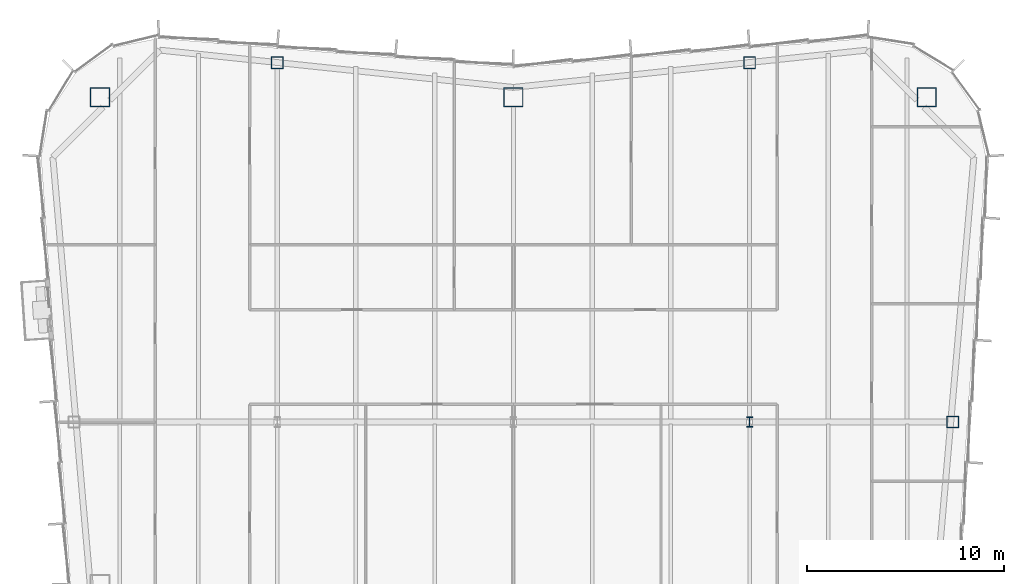
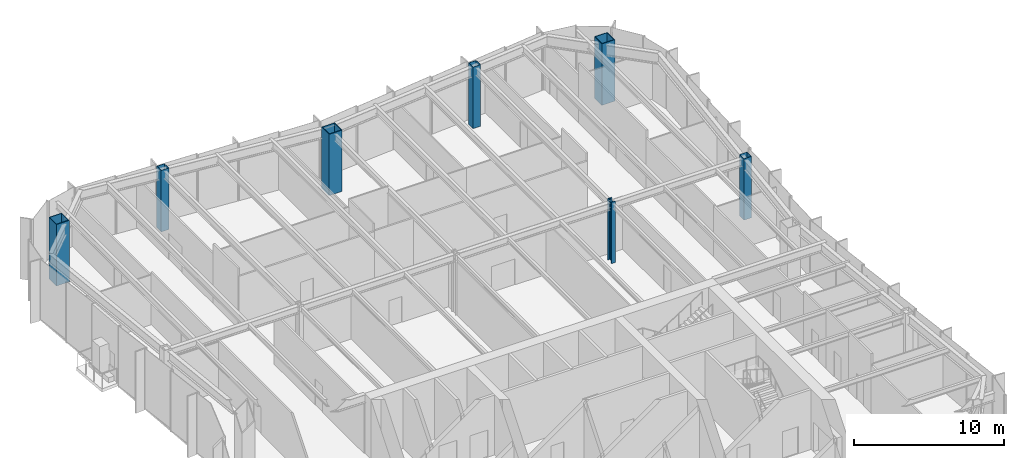
# One storey, part 2 of 15: 7 columns.
"""IFC4 building model written with IfcOpenShell, lengths in metres."""

from ifc_helpers import new_model, si_unit, direction, frame, origin, origin_2d, place, context, subcontext, project, spatial, hollow_rectangle, i_section, extrude, material, material_profile, profile_set, type_object, element, save


model = new_model("IFC4")

# Units and contexts
model_context = context("Model", 3, precision=1e-05, world=origin(), true_north=direction((0.0, 1.0)))
body_context = subcontext(model_context, "Body", "Model", "MODEL_VIEW")
ifc_project = project(units=[si_unit("LENGTHUNIT", "METRE"), si_unit("AREAUNIT", "SQUARE_METRE"), si_unit("VOLUMEUNIT", "CUBIC_METRE"), si_unit("PLANEANGLEUNIT", "RADIAN"), si_unit("MASSUNIT", "GRAM", prefix="KILO")], contexts=[model_context])

# Site, building, storey
site_placement = place(None, origin())
site = spatial("IfcSite", under=ifc_project, at=site_placement, CompositionType="ELEMENT")
building_placement = place(site_placement, origin())
building = spatial("IfcBuilding", under=site, at=building_placement, Name="Verdant Reach Tower", CompositionType="ELEMENT")
storey_placement = place(building_placement, frame((0.0, 0.0, 233.0)))
storey = spatial("IfcBuildingStorey", under=building, at=storey_placement, Name="L53", CompositionType="ELEMENT", Elevation=233.0)

# Columns
ifc_material = material(Name="Steel S460", Category="steel")
ifc_material_profile_1 = material_profile(ifc_material, i_section(OverallWidth=0.305908203125, OverallDepth=0.52392578125, WebThickness=0.012451171875, FlangeThickness=0.0400390625, FilletRadius=0.027099609375, at=origin_2d()), Name="HEM 500")
ifc_profile_set_1 = profile_set([ifc_material_profile_1], Name="Steel S460")
column_type_1 = type_object("IfcColumnType", Name="ST-COL-HEM500", PredefinedType="COLUMN", material=ifc_profile_set_1)
column_placement = place(storey_placement, frame((12.0, 49.5, 0.0), z_axis=(0.0, 0.0, 1.0), x_axis=(1.0, 0.0, 0.0)))
element("IfcColumn", 1, at=column_placement, inside=storey, type_object=column_type_1, Name="Interior column 3, L53", PredefinedType="COLUMN", context=body_context, shape_type="SweptSolid", body=[
    extrude(i_section(OverallWidth=0.305908203125, OverallDepth=0.52392578125, WebThickness=0.012451171875, FlangeThickness=0.0400390625, FilletRadius=0.027099609375, at=origin_2d()), origin(), (0.0, 0.0, 1.0), 5.0),
])
ifc_material_profile_2 = material_profile(ifc_material, hollow_rectangle(XDim=1.0, YDim=1.0, WallThickness=0.044921875, at=origin_2d()), Name="WB 1000x1000x45")
ifc_profile_set_2 = profile_set([ifc_material_profile_2], Name="Steel S460")
column_type_2 = type_object("IfcColumnType", Name="ST-COL-WB1000x1000x45", PredefinedType="COLUMN", material=ifc_profile_set_2)
for number, where, z_axis, x_axis, name in (
    (2, (-21.0, 66.0, 0.0), (0.0, 0.0, 1.0), (1.0, 0.0, 0.0), "Mega column north-west, L53"),
    (3, (0.0, 66.0, 0.0), (0.0, 0.0, 1.0), (1.0, 0.0, 0.0), "Mega column north, L53"),
    (4, (21.0, 66.0, 0.0), (0.0, 0.0, 1.0), (1.0, 0.0, 0.0), "Mega column north-east, L53"),
):
    element("IfcColumn", number, at=place(storey_placement, frame(where, z_axis=z_axis, x_axis=x_axis)), inside=storey, type_object=column_type_2, Name=name, PredefinedType="COLUMN", context=body_context, shape_type="SweptSolid", body=[
        extrude(hollow_rectangle(XDim=1.0, YDim=1.0, WallThickness=0.044921875, at=origin_2d()), origin(), (0.0, 0.0, 1.0), 5.0),
    ])
ifc_material_profile_3 = material_profile(ifc_material, hollow_rectangle(XDim=0.60009765625, YDim=0.60009765625, WallThickness=0.02490234375, at=origin_2d()), Name="WB 600x600x25")
ifc_profile_set_3 = profile_set([ifc_material_profile_3], Name="Steel S460")
column_type_3 = type_object("IfcColumnType", Name="ST-COL-WB600x600x25", PredefinedType="COLUMN", material=ifc_profile_set_3)
for number, where, z_axis, x_axis, name in (
    (5, (-12.0, 67.75, 0.0), (0.0, 0.0, 1.0), (1.0, 0.0, 0.0), "Perimeter column north 1, L53"),
    (6, (12.0, 67.75, 0.0), (0.0, 0.0, 1.0), (1.0, 0.0, 0.0), "Perimeter column north 2, L53"),
    (7, (22.319091796875, 49.5, 0.0), (0.0, 0.0, 1.0), (1.0, 0.0, 0.0), "Perimeter column east 2, L53"),
):
    element("IfcColumn", number, at=place(storey_placement, frame(where, z_axis=z_axis, x_axis=x_axis)), inside=storey, type_object=column_type_3, Name=name, PredefinedType="COLUMN", context=body_context, shape_type="SweptSolid", body=[
        extrude(hollow_rectangle(XDim=0.60009765625, YDim=0.60009765625, WallThickness=0.02490234375, at=origin_2d()), origin(), (0.0, 0.0, 1.0), 5.0),
    ])

save(model, "model.ifc")
